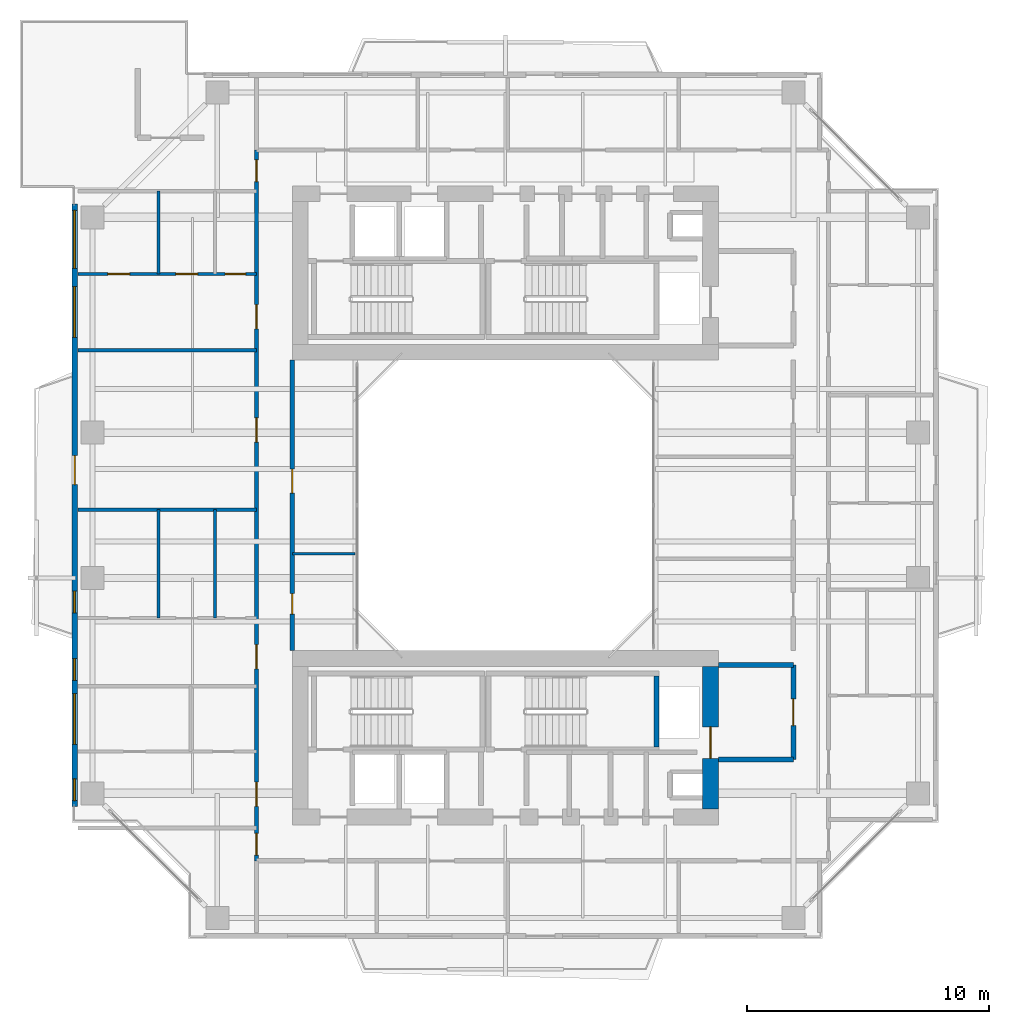
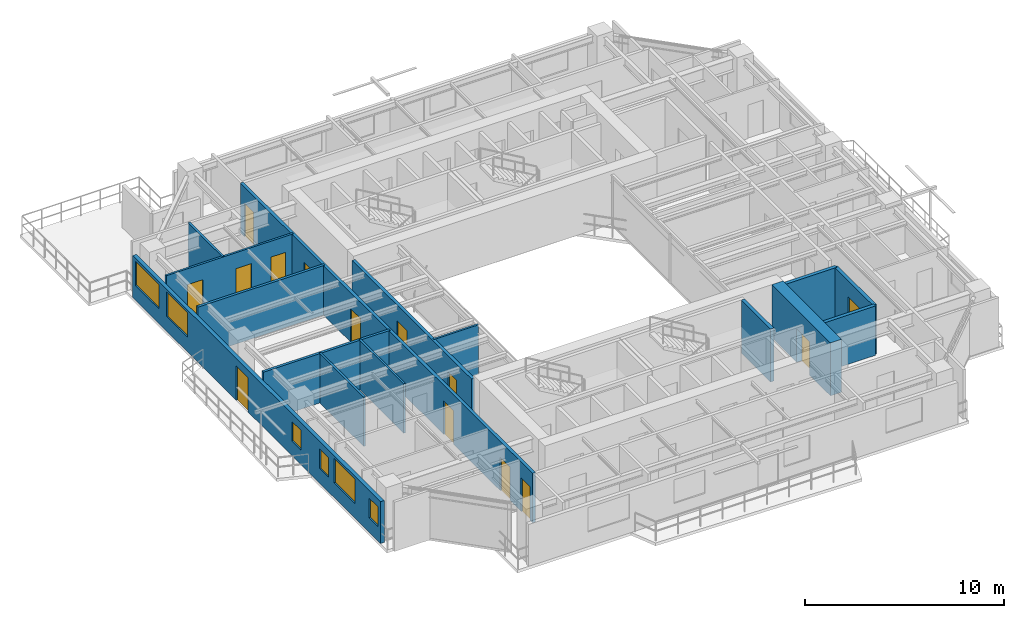
# One storey, part 11 of 18: 15 walls, 14 doors, 6 windows, 20 openings.
"""IFC4 building model written with IfcOpenShell, lengths in metres."""

from ifc_helpers import new_model, si_unit, direction, frame, frame_2d, origin, place, context, subcontext, project, spatial, rectangle, extrude, source, transform, mapped, material, layer, layer_set, type_object, element, fill, save


model = new_model("IFC4")

# Units and contexts
model_context = context("Model", 3, precision=1e-05, world=origin(), true_north=direction((0.0, 1.0)))
body_context = subcontext(model_context, "Body", "Model", "MODEL_VIEW")
ifc_project = project(units=[si_unit("LENGTHUNIT", "METRE"), si_unit("AREAUNIT", "SQUARE_METRE"), si_unit("VOLUMEUNIT", "CUBIC_METRE"), si_unit("PLANEANGLEUNIT", "RADIAN"), si_unit("MASSUNIT", "GRAM", prefix="KILO"), si_unit("THERMODYNAMICTEMPERATUREUNIT", "KELVIN"), si_unit("POWERUNIT", "WATT")], contexts=[model_context])

# Site, building, storey
site_placement = place(None, origin())
site = spatial("IfcSite", under=ifc_project, at=site_placement, CompositionType="ELEMENT")
building_placement = place(site_placement, origin())
building = spatial("IfcBuilding", under=site, at=building_placement, Name="Qiaomeng Ring Towers", CompositionType="ELEMENT")
storey_placement = place(building_placement, frame((0.0, 0.0, 182.75)))
storey = spatial("IfcBuildingStorey", under=building, at=storey_placement, Name="L53", CompositionType="ELEMENT", Elevation=182.75)

# Wall, openings, windows, door
ifc_material_1 = material(Name="Precast concrete C40", Category="concrete")
ifc_layer_1 = layer(ifc_material_1, 0.219970703125, Name="Precast concrete C40")
ifc_layer_set_1 = layer_set([ifc_layer_1], Name="Precast concrete C40")
wall_type_1 = type_object("IfcWallType", Name="ARC-WL-EW2", PredefinedType="STANDARD", material=ifc_layer_set_1)
wall_1_placement = place(storey_placement, frame((1.2099609375, 10.550048828125, 0.0), z_axis=(0.0, 0.0, 1.0), x_axis=(0.0, 1.0, 0.0)))
wall_1 = element("IfcWall", 1, at=wall_1_placement, inside=storey, type_object=wall_type_1, Name="L53 Tower 1 W Exterior Wall", PredefinedType="STANDARD", context=body_context, shape_type="SweptSolid", body=[
    extrude(rectangle(XDim=24.89990234375, YDim=0.219970703125, at=frame_2d((12.449951171875, 0.0))), origin(), (0.0, 0.0, 1.0), 2.570068359375),
])
opening_1_placement = place(wall_1_placement, frame((13.300048828125, 0.0, 0.0)))
opening_1 = element("IfcOpeningElement", 2, at=opening_1_placement, cuts=wall_1, Name="Opening BD1", PredefinedType="OPENING", context=body_context, shape_type="SweptSolid", body=[
    extrude(rectangle(XDim=1.199951171875, YDim=2.10009765625, at=frame_2d((0.60009765625, 1.050048828125))), frame((0.0, 0.119873046875, 0.0), z_axis=(0.0, -1.0, 0.0), x_axis=(1.0, 0.0, 0.0)), (0.0, 0.0, 1.0), 0.239990234375),
])
opening_2_placement = place(wall_1_placement, frame((2.572509765625, 0.0, 0.89990234375)))
opening_2 = element("IfcOpeningElement", 3, at=opening_2_placement, cuts=wall_1, Name="Opening WN4", PredefinedType="OPENING", context=body_context, shape_type="SweptSolid", body=[
    extrude(rectangle(XDim=2.10009765625, YDim=1.5, at=frame_2d((1.050048828125, 0.75))), frame((0.0, 0.119873046875, 0.0), z_axis=(0.0, -1.0, 0.0), x_axis=(1.0, 0.0, 0.0)), (0.0, 0.0, 1.0), 0.239990234375),
])
opening_3_placement = place(wall_1_placement, frame((19.387451171875, 0.0, 0.89990234375)))
opening_3 = element("IfcOpeningElement", 4, at=opening_3_placement, cuts=wall_1, Name="Opening WN4", PredefinedType="OPENING", context=body_context, shape_type="SweptSolid", body=[
    extrude(rectangle(XDim=2.10009765625, YDim=1.5, at=frame_2d((1.050048828125, 0.75))), frame((0.0, 0.119873046875, 0.0), z_axis=(0.0, -1.0, 0.0), x_axis=(1.0, 0.0, 0.0)), (0.0, 0.0, 1.0), 0.239990234375),
])
opening_4_placement = place(wall_1_placement, frame((22.239990234375, 0.0, 0.89990234375)))
opening_4 = element("IfcOpeningElement", 5, at=opening_4_placement, cuts=wall_1, Name="Opening WN6", PredefinedType="OPENING", context=body_context, shape_type="SweptSolid", body=[
    extrude(rectangle(XDim=2.39990234375, YDim=1.5, at=frame_2d((1.199951171875, 0.75))), frame((0.0, 0.119873046875, 0.0), z_axis=(0.0, -1.0, 0.0), x_axis=(1.0, 0.0, 0.0)), (0.0, 0.0, 1.0), 0.239990234375),
])
opening_5_placement = place(wall_1_placement, frame((0.25, 0.0, 0.89990234375)))
opening_5 = element("IfcOpeningElement", 6, at=opening_5_placement, cuts=wall_1, Name="Opening WN5", PredefinedType="OPENING", context=body_context, shape_type="SweptSolid", body=[
    extrude(rectangle(XDim=0.89990234375, YDim=1.199951171875, at=frame_2d((0.449951171875, 0.60009765625))), frame((0.0, 0.119873046875, 0.0), z_axis=(0.0, -1.0, 0.0), x_axis=(1.0, 0.0, 0.0)), (0.0, 0.0, 1.0), 0.239990234375),
])
opening_6_placement = place(wall_1_placement, frame((8.010009765625, 0.0, 0.89990234375)))
opening_6 = element("IfcOpeningElement", 7, at=opening_6_placement, cuts=wall_1, Name="Opening WN5", PredefinedType="OPENING", context=body_context, shape_type="SweptSolid", body=[
    extrude(rectangle(XDim=0.89990234375, YDim=1.199951171875, at=frame_2d((0.449951171875, 0.60009765625))), frame((0.0, 0.119873046875, 0.0), z_axis=(0.0, -1.0, 0.0), x_axis=(1.0, 0.0, 0.0)), (0.0, 0.0, 1.0), 0.239990234375),
])
opening_7_placement = place(wall_1_placement, frame((5.215087890625, 0.0, 0.89990234375)))
opening_7 = element("IfcOpeningElement", 8, at=opening_7_placement, cuts=wall_1, Name="Opening WN5", PredefinedType="OPENING", context=body_context, shape_type="SweptSolid", body=[
    extrude(rectangle(XDim=0.89990234375, YDim=1.199951171875, at=frame_2d((0.449951171875, 0.60009765625))), frame((0.0, 0.119873046875, 0.0), z_axis=(0.0, -1.0, 0.0), x_axis=(1.0, 0.0, 0.0)), (0.0, 0.0, 1.0), 0.239990234375),
])
ifc_material_2 = material(Name="Low-E dark-grey laminated double glazing", Category="glass")
window_type_1 = type_object("IfcWindowType", Name="ARC-WN-4", PartitioningType="TRIPLE_PANEL_VERTICAL", PredefinedType="WINDOW", material=ifc_material_2)
shared_shape_1 = source(origin(), body_context, "Body", "SweptSolid", [
    extrude(rectangle(XDim=2.10009765625, YDim=1.5, at=frame_2d((1.050048828125, 0.75))), frame((0.0, 0.030029296875, 0.0), z_axis=(0.0, -1.0, 0.0), x_axis=(1.0, 0.0, 0.0)), (0.0, 0.0, 1.0), 0.06005859375),
])
window_1_placement = place(opening_2_placement, origin())
window_1 = element("IfcWindow", 9, at=window_1_placement, inside=storey, type_object=window_type_1, Name="L53 Exterior Window WN6", OverallHeight=1.5, OverallWidth=2.10009765625, PartitioningType="TRIPLE_PANEL_VERTICAL", PredefinedType="WINDOW", context=body_context, shape_type="MappedRepresentation", body=[
    mapped(shared_shape_1, transform((0.0, 0.0, 0.0), x_axis=(1.0, 0.0, 0.0), y_axis=(0.0, 1.0, 0.0), z_axis=(0.0, 0.0, 1.0), scale=1.0)),
])
fill(opening_2, window_1)
window_2_placement = place(opening_3_placement, origin())
window_2 = element("IfcWindow", 10, at=window_2_placement, inside=storey, type_object=window_type_1, Name="L53 Exterior Window WN4", OverallHeight=1.5, OverallWidth=2.10009765625, PartitioningType="TRIPLE_PANEL_VERTICAL", PredefinedType="WINDOW", context=body_context, shape_type="MappedRepresentation", body=[
    mapped(shared_shape_1, transform((0.0, 0.0, 0.0), x_axis=(1.0, 0.0, 0.0), y_axis=(0.0, 1.0, 0.0), z_axis=(0.0, 0.0, 1.0), scale=1.0)),
])
fill(opening_3, window_2)
door_type_1 = type_object("IfcDoorType", Name="ARC-DR-BD1", OperationType="NOTDEFINED", PredefinedType="DOOR", material=ifc_material_2)
shared_shape_2 = source(origin(), body_context, "Body", "SweptSolid", [
    extrude(rectangle(XDim=1.199951171875, YDim=2.10009765625, at=frame_2d((0.60009765625, 1.050048828125))), frame((0.0, 0.02490234375, 0.0), z_axis=(0.0, -1.0, 0.0), x_axis=(1.0, 0.0, 0.0)), (0.0, 0.0, 1.0), 0.050048828125),
])
door_1_placement = place(opening_1_placement, frame((1.199951171875, 0.0, 0.0), z_axis=(0.0, 0.0, 1.0), x_axis=(-1.0, 0.0, 0.0)))
door_1 = element("IfcDoor", 11, at=door_1_placement, inside=storey, type_object=door_type_1, Name="L53 W Balcony Glazed Door", OperationType="SINGLE_SWING_LEFT", OverallHeight=2.10009765625, OverallWidth=1.199951171875, PredefinedType="DOOR", context=body_context, shape_type="MappedRepresentation", body=[
    mapped(shared_shape_2, transform((0.0, 0.0, 0.0), x_axis=(1.0, 0.0, 0.0), y_axis=(0.0, 1.0, 0.0), z_axis=(0.0, 0.0, 1.0), scale=1.0)),
])
fill(opening_1, door_1)
window_type_2 = type_object("IfcWindowType", Name="ARC-WN-6", PartitioningType="TRIPLE_PANEL_VERTICAL", PredefinedType="WINDOW", material=ifc_material_2)
shared_shape_3 = source(origin(), body_context, "Body", "SweptSolid", [
    extrude(rectangle(XDim=2.39990234375, YDim=1.5, at=frame_2d((1.199951171875, 0.75))), frame((0.0, 0.030029296875, 0.0), z_axis=(0.0, -1.0, 0.0), x_axis=(1.0, 0.0, 0.0)), (0.0, 0.0, 1.0), 0.06005859375),
])
window_3_placement = place(opening_4_placement, origin())
window_3 = element("IfcWindow", 12, at=window_3_placement, inside=storey, type_object=window_type_2, Name="L53 Exterior Window WN6", OverallHeight=1.5, OverallWidth=2.39990234375, PartitioningType="TRIPLE_PANEL_VERTICAL", PredefinedType="WINDOW", context=body_context, shape_type="MappedRepresentation", body=[
    mapped(shared_shape_3, transform((0.0, 0.0, 0.0), x_axis=(1.0, 0.0, 0.0), y_axis=(0.0, 1.0, 0.0), z_axis=(0.0, 0.0, 1.0), scale=1.0)),
])
fill(opening_4, window_3)
window_type_3 = type_object("IfcWindowType", Name="ARC-WN-5", PartitioningType="SINGLE_PANEL", PredefinedType="WINDOW", material=ifc_material_2)
shared_shape_4 = source(origin(), body_context, "Body", "SweptSolid", [
    extrude(rectangle(XDim=0.89990234375, YDim=1.199951171875, at=frame_2d((0.449951171875, 0.60009765625))), frame((0.0, 0.030029296875, 0.0), z_axis=(0.0, -1.0, 0.0), x_axis=(1.0, 0.0, 0.0)), (0.0, 0.0, 1.0), 0.06005859375),
])
window_4_placement = place(opening_5_placement, origin())
window_4 = element("IfcWindow", 13, at=window_4_placement, inside=storey, type_object=window_type_3, Name="L53 Exterior Window WN5", OverallHeight=1.199951171875, OverallWidth=0.89990234375, PartitioningType="SINGLE_PANEL", PredefinedType="WINDOW", context=body_context, shape_type="MappedRepresentation", body=[
    mapped(shared_shape_4, transform((0.0, 0.0, 0.0), x_axis=(1.0, 0.0, 0.0), y_axis=(0.0, 1.0, 0.0), z_axis=(0.0, 0.0, 1.0), scale=1.0)),
])
fill(opening_5, window_4)
window_5_placement = place(opening_6_placement, origin())
window_5 = element("IfcWindow", 14, at=window_5_placement, inside=storey, type_object=window_type_3, Name="L53 Exterior Window WN5", OverallHeight=1.199951171875, OverallWidth=0.89990234375, PartitioningType="SINGLE_PANEL", PredefinedType="WINDOW", context=body_context, shape_type="MappedRepresentation", body=[
    mapped(shared_shape_4, transform((0.0, 0.0, 0.0), x_axis=(1.0, 0.0, 0.0), y_axis=(0.0, 1.0, 0.0), z_axis=(0.0, 0.0, 1.0), scale=1.0)),
])
fill(opening_6, window_5)
window_6_placement = place(opening_7_placement, origin())
window_6 = element("IfcWindow", 15, at=window_6_placement, inside=storey, type_object=window_type_3, Name="L53 Exterior Window WN5", OverallHeight=1.199951171875, OverallWidth=0.89990234375, PartitioningType="SINGLE_PANEL", PredefinedType="WINDOW", context=body_context, shape_type="MappedRepresentation", body=[
    mapped(shared_shape_4, transform((0.0, 0.0, 0.0), x_axis=(1.0, 0.0, 0.0), y_axis=(0.0, 1.0, 0.0), z_axis=(0.0, 0.0, 1.0), scale=1.0)),
])
fill(opening_7, window_6)

# Walls
ifc_material_3 = material(Name="Autoclaved aerated concrete block", Category="concrete")
ifc_layer_2 = layer(ifc_material_3, 0.199951171875, Name="Autoclaved aerated concrete block")
ifc_layer_set_2 = layer_set([ifc_layer_2], Name="Autoclaved aerated concrete block")
wall_type_2 = type_object("IfcWallType", Name="ARC-WL-PW1", PredefinedType="PARTITIONING", material=ifc_layer_set_2)
for number, where, z_axis, x_axis, name in (
    (16, (27.800048828125, 16.39990234375, 0.0), (0.0, 0.0, 1.0), (1.0, 0.0, 0.0), "L53 Interior Wall PW1"),
    (17, (27.800048828125, 12.5, 0.0), (0.0, 0.0, 1.0), (1.0, 0.0, 0.0), "L53 Interior Wall PW1"),
):
    element("IfcWall", number, at=place(storey_placement, frame(where, z_axis=z_axis, x_axis=x_axis)), inside=storey, type_object=wall_type_2, Name=name, PredefinedType="PARTITIONING", context=body_context, shape_type="SweptSolid", body=[
        extrude(rectangle(XDim=3.099853515625, YDim=0.199951171875, at=frame_2d((1.5498046875, 0.0))), origin(), (0.0, 0.0, 1.0), 3.030029296875),
    ])

# Wall, opening, door
wall_2_placement = place(storey_placement, frame((30.89990234375, 12.5, 0.0), z_axis=(0.0, 0.0, 1.0), x_axis=(0.0, 1.0, 0.0)))
wall_2 = element("IfcWall", 18, at=wall_2_placement, inside=storey, type_object=wall_type_2, Name="L53 Interior Wall PW1", PredefinedType="PARTITIONING", context=body_context, shape_type="SweptSolid", body=[
    extrude(rectangle(XDim=3.89990234375, YDim=0.199951171875, at=frame_2d((1.949951171875, 0.0))), origin(), (0.0, 0.0, 1.0), 3.030029296875),
])
opening_8_placement = place(wall_2_placement, frame((1.39990234375, 0.0, 0.0)))
opening_8 = element("IfcOpeningElement", 19, at=opening_8_placement, cuts=wall_2, Name="Opening FD3", PredefinedType="OPENING", context=body_context, shape_type="SweptSolid", body=[
    extrude(rectangle(XDim=1.10009765625, YDim=2.050048828125, at=frame_2d((0.550048828125, 1.02490234375))), frame((0.0, 0.10986328125, 0.0), z_axis=(0.0, -1.0, 0.0), x_axis=(1.0, 0.0, 0.0)), (0.0, 0.0, 1.0), 0.219970703125),
])
ifc_material_4 = material(Name="Galvanised steel", Category="steel")
door_type_2 = type_object("IfcDoorType", Name="ARC-DR-FD3", OperationType="NOTDEFINED", PredefinedType="DOOR", material=ifc_material_4)
shared_shape_5 = source(origin(), body_context, "Body", "SweptSolid", [
    extrude(rectangle(XDim=1.10009765625, YDim=2.050048828125, at=frame_2d((0.550048828125, 1.02490234375))), frame((0.0, 0.02490234375, 0.0), z_axis=(0.0, -1.0, 0.0), x_axis=(1.0, 0.0, 0.0)), (0.0, 0.0, 1.0), 0.050048828125),
])
door_2_placement = place(opening_8_placement, origin())
door_2 = element("IfcDoor", 20, at=door_2_placement, inside=storey, type_object=door_type_2, Name="L53 South FF Lobby Door", OperationType="SINGLE_SWING_RIGHT", OverallHeight=2.050048828125, OverallWidth=1.10009765625, PredefinedType="DOOR", context=body_context, shape_type="MappedRepresentation", body=[
    mapped(shared_shape_5, transform((0.0, 0.0, 0.0), x_axis=(1.0, 0.0, 0.0), y_axis=(0.0, 1.0, 0.0), z_axis=(0.0, 0.0, 1.0), scale=1.0)),
])
fill(opening_8, door_2)

# Wall, openings, doors
ifc_layer_3 = layer(ifc_material_3, 0.179931640625, Name="Autoclaved aerated concrete block")
ifc_layer_set_3 = layer_set([ifc_layer_3], Name="Autoclaved aerated concrete block")
wall_type_3 = type_object("IfcWallType", Name="ARC-WL-PW2", PredefinedType="PARTITIONING", material=ifc_layer_set_3)
wall_3_placement = place(storey_placement, frame((8.719970703125, 8.31005859375, 0.0), z_axis=(0.0, 0.0, 1.0), x_axis=(0.0, 1.0, 0.0)))
wall_3 = element("IfcWall", 21, at=wall_3_placement, inside=storey, type_object=wall_type_3, Name="L53 Interior Wall PW2", PredefinedType="PARTITIONING", context=body_context, shape_type="SweptSolid", body=[
    extrude(rectangle(XDim=29.369873046875, YDim=0.179931640625, at=frame_2d((14.68505859375, 0.0))), origin(), (0.0, 0.0, 1.0), 3.030029296875),
])
opening_9_placement = place(wall_3_placement, frame((28.06005859375, 0.0, 0.0)))
opening_9 = element("IfcOpeningElement", 22, at=opening_9_placement, cuts=wall_3, Name="Opening ID1", PredefinedType="OPENING", context=body_context, shape_type="SweptSolid", body=[
    extrude(rectangle(XDim=0.89990234375, YDim=2.050048828125, at=frame_2d((0.449951171875, 1.02490234375))), frame((0.0, 0.099853515625, 0.0), z_axis=(0.0, -1.0, 0.0), x_axis=(1.0, 0.0, 0.0)), (0.0, 0.0, 1.0), 0.199951171875),
])
opening_10_placement = place(wall_3_placement, frame((0.239990234375, 0.0, 0.0)))
opening_10 = element("IfcOpeningElement", 23, at=opening_10_placement, cuts=wall_3, Name="Opening ID1", PredefinedType="OPENING", context=body_context, shape_type="SweptSolid", body=[
    extrude(rectangle(XDim=0.89990234375, YDim=2.050048828125, at=frame_2d((0.449951171875, 1.02490234375))), frame((0.0, 0.099853515625, 0.0), z_axis=(0.0, -1.0, 0.0), x_axis=(1.0, 0.0, 0.0)), (0.0, 0.0, 1.0), 0.199951171875),
])
opening_11_placement = place(wall_3_placement, frame((2.25, 0.0, 0.0)))
opening_11 = element("IfcOpeningElement", 24, at=opening_11_placement, cuts=wall_3, Name="Opening FD4", PredefinedType="OPENING", context=body_context, shape_type="SweptSolid", body=[
    extrude(rectangle(XDim=1.0, YDim=2.050048828125, at=frame_2d((0.5, 1.02490234375))), frame((0.0, 0.099853515625, 0.0), z_axis=(0.0, -1.0, 0.0), x_axis=(1.0, 0.0, 0.0)), (0.0, 0.0, 1.0), 0.199951171875),
])
opening_12_placement = place(wall_3_placement, frame((7.93505859375, 0.0, 0.0)))
opening_12 = element("IfcOpeningElement", 25, at=opening_12_placement, cuts=wall_3, Name="Opening FD4", PredefinedType="OPENING", context=body_context, shape_type="SweptSolid", body=[
    extrude(rectangle(XDim=1.0, YDim=2.050048828125, at=frame_2d((0.5, 1.02490234375))), frame((0.0, 0.099853515625, 0.0), z_axis=(0.0, -1.0, 0.0), x_axis=(1.0, 0.0, 0.0)), (0.0, 0.0, 1.0), 0.199951171875),
])
opening_13_placement = place(wall_3_placement, frame((17.300048828125, 0.0, 0.0)))
opening_13 = element("IfcOpeningElement", 26, at=opening_13_placement, cuts=wall_3, Name="Opening FD4", PredefinedType="OPENING", context=body_context, shape_type="SweptSolid", body=[
    extrude(rectangle(XDim=1.0, YDim=2.050048828125, at=frame_2d((0.5, 1.02490234375))), frame((0.0, 0.099853515625, 0.0), z_axis=(0.0, -1.0, 0.0), x_axis=(1.0, 0.0, 0.0)), (0.0, 0.0, 1.0), 0.199951171875),
])
opening_14_placement = place(wall_3_placement, frame((21.97998046875, 0.0, 0.0)))
opening_14 = element("IfcOpeningElement", 27, at=opening_14_placement, cuts=wall_3, Name="Opening FD4", PredefinedType="OPENING", context=body_context, shape_type="SweptSolid", body=[
    extrude(rectangle(XDim=1.0, YDim=2.050048828125, at=frame_2d((0.5, 1.02490234375))), frame((0.0, 0.099853515625, 0.0), z_axis=(0.0, -1.0, 0.0), x_axis=(1.0, 0.0, 0.0)), (0.0, 0.0, 1.0), 0.199951171875),
])
ifc_material_5 = material(Name="Engineered fire-rated oak timber", Category="wood")
door_type_3 = type_object("IfcDoorType", Name="ARC-DR-FD4", OperationType="NOTDEFINED", PredefinedType="DOOR", material=ifc_material_5)
shared_shape_6 = source(origin(), body_context, "Body", "SweptSolid", [
    extrude(rectangle(XDim=1.0, YDim=2.050048828125, at=frame_2d((0.5, 1.02490234375))), frame((0.0, 0.02490234375, 0.0), z_axis=(0.0, -1.0, 0.0), x_axis=(1.0, 0.0, 0.0)), (0.0, 0.0, 1.0), 0.050048828125),
])
door_3_placement = place(opening_11_placement, origin())
door_3 = element("IfcDoor", 28, at=door_3_placement, inside=storey, type_object=door_type_3, Name="L53 Door FD4", OperationType="SINGLE_SWING_LEFT", OverallHeight=2.050048828125, OverallWidth=1.0, PredefinedType="DOOR", context=body_context, shape_type="MappedRepresentation", body=[
    mapped(shared_shape_6, transform((0.0, 0.0, 0.0), x_axis=(1.0, 0.0, 0.0), y_axis=(0.0, 1.0, 0.0), z_axis=(0.0, 0.0, 1.0), scale=1.0)),
])
fill(opening_11, door_3)
door_4_placement = place(opening_12_placement, origin())
door_4 = element("IfcDoor", 29, at=door_4_placement, inside=storey, type_object=door_type_3, Name="L53 Door FD4", OperationType="SINGLE_SWING_LEFT", OverallHeight=2.050048828125, OverallWidth=1.0, PredefinedType="DOOR", context=body_context, shape_type="MappedRepresentation", body=[
    mapped(shared_shape_6, transform((0.0, 0.0, 0.0), x_axis=(1.0, 0.0, 0.0), y_axis=(0.0, 1.0, 0.0), z_axis=(0.0, 0.0, 1.0), scale=1.0)),
])
fill(opening_12, door_4)
door_5_placement = place(opening_13_placement, origin())
door_5 = element("IfcDoor", 30, at=door_5_placement, inside=storey, type_object=door_type_3, Name="L53 Door FD4", OperationType="SINGLE_SWING_RIGHT", OverallHeight=2.050048828125, OverallWidth=1.0, PredefinedType="DOOR", context=body_context, shape_type="MappedRepresentation", body=[
    mapped(shared_shape_6, transform((0.0, 0.0, 0.0), x_axis=(1.0, 0.0, 0.0), y_axis=(0.0, 1.0, 0.0), z_axis=(0.0, 0.0, 1.0), scale=1.0)),
])
fill(opening_13, door_5)
door_6_placement = place(opening_14_placement, origin())
door_6 = element("IfcDoor", 31, at=door_6_placement, inside=storey, type_object=door_type_3, Name="L53 Door FD4", OperationType="SINGLE_SWING_RIGHT", OverallHeight=2.050048828125, OverallWidth=1.0, PredefinedType="DOOR", context=body_context, shape_type="MappedRepresentation", body=[
    mapped(shared_shape_6, transform((0.0, 0.0, 0.0), x_axis=(1.0, 0.0, 0.0), y_axis=(0.0, 1.0, 0.0), z_axis=(0.0, 0.0, 1.0), scale=1.0)),
])
fill(opening_14, door_6)
ifc_material_6 = material(Name="Engineered oak timber", Category="wood")
door_type_4 = type_object("IfcDoorType", Name="ARC-DR-ID1", OperationType="NOTDEFINED", PredefinedType="DOOR", material=ifc_material_6)
shared_shape_7 = source(origin(), body_context, "Body", "SweptSolid", [
    extrude(rectangle(XDim=0.89990234375, YDim=2.050048828125, at=frame_2d((0.449951171875, 1.02490234375))), frame((0.0, 0.02490234375, 0.0), z_axis=(0.0, -1.0, 0.0), x_axis=(1.0, 0.0, 0.0)), (0.0, 0.0, 1.0), 0.050048828125),
])
door_7_placement = place(opening_9_placement, origin())
door_7 = element("IfcDoor", 32, at=door_7_placement, inside=storey, type_object=door_type_4, Name="L53 Door ID1", OperationType="SINGLE_SWING_LEFT", OverallHeight=2.050048828125, OverallWidth=0.89990234375, PredefinedType="DOOR", context=body_context, shape_type="MappedRepresentation", body=[
    mapped(shared_shape_7, transform((0.0, 0.0, 0.0), x_axis=(1.0, 0.0, 0.0), y_axis=(0.0, 1.0, 0.0), z_axis=(0.0, 0.0, 1.0), scale=1.0)),
])
fill(opening_9, door_7)
door_8_placement = place(opening_10_placement, origin())
door_8 = element("IfcDoor", 33, at=door_8_placement, inside=storey, type_object=door_type_4, Name="L53 Door ID1", OperationType="SINGLE_SWING_RIGHT", OverallHeight=2.050048828125, OverallWidth=0.89990234375, PredefinedType="DOOR", context=body_context, shape_type="MappedRepresentation", body=[
    mapped(shared_shape_7, transform((0.0, 0.0, 0.0), x_axis=(1.0, 0.0, 0.0), y_axis=(0.0, 1.0, 0.0), z_axis=(0.0, 0.0, 1.0), scale=1.0)),
])
fill(opening_10, door_8)

wall_4_placement = place(storey_placement, frame((10.199951171875, 17.0, 0.0), z_axis=(0.0, 0.0, 1.0), x_axis=(0.0, 1.0, 0.0)))
wall_4 = element("IfcWall", 34, at=wall_4_placement, inside=storey, type_object=wall_type_3, Name="L53 Interior Wall PW2", PredefinedType="PARTITIONING", context=body_context, shape_type="SweptSolid", body=[
    extrude(rectangle(XDim=12.0, YDim=0.179931640625, at=frame_2d((6.0, 0.0))), origin(), (0.0, 0.0, 1.0), 3.030029296875),
])
opening_15_placement = place(wall_4_placement, frame((1.5, 0.0, 0.0)))
opening_15 = element("IfcOpeningElement", 35, at=opening_15_placement, cuts=wall_4, Name="Opening ID2", PredefinedType="OPENING", context=body_context, shape_type="SweptSolid", body=[
    extrude(rectangle(XDim=0.85009765625, YDim=2.050048828125, at=frame_2d((0.425048828125, 1.02490234375))), frame((0.0, 0.099853515625, 0.0), z_axis=(0.0, -1.0, 0.0), x_axis=(1.0, 0.0, 0.0)), (0.0, 0.0, 1.0), 0.199951171875),
])
opening_16_placement = place(wall_4_placement, frame((6.5, 0.0, 0.0)))
opening_16 = element("IfcOpeningElement", 36, at=opening_16_placement, cuts=wall_4, Name="Opening FD4", PredefinedType="OPENING", context=body_context, shape_type="SweptSolid", body=[
    extrude(rectangle(XDim=1.0, YDim=2.050048828125, at=frame_2d((0.5, 1.02490234375))), frame((0.0, 0.099853515625, 0.0), z_axis=(0.0, -1.0, 0.0), x_axis=(1.0, 0.0, 0.0)), (0.0, 0.0, 1.0), 0.199951171875),
])
door_9_placement = place(opening_16_placement, origin())
door_9 = element("IfcDoor", 37, at=door_9_placement, inside=storey, type_object=door_type_3, Name="L53 Door FD4", OperationType="SINGLE_SWING_RIGHT", OverallHeight=2.050048828125, OverallWidth=1.0, PredefinedType="DOOR", context=body_context, shape_type="MappedRepresentation", body=[
    mapped(shared_shape_6, transform((0.0, 0.0, 0.0), x_axis=(1.0, 0.0, 0.0), y_axis=(0.0, 1.0, 0.0), z_axis=(0.0, 0.0, 1.0), scale=1.0)),
])
fill(opening_16, door_9)
ifc_material_7 = material(Name="Moisture-resistant engineered timber", Category="wood")
door_type_5 = type_object("IfcDoorType", Name="ARC-DR-ID2", OperationType="NOTDEFINED", PredefinedType="DOOR", material=ifc_material_7)
shared_shape_8 = source(origin(), body_context, "Body", "SweptSolid", [
    extrude(rectangle(XDim=0.85009765625, YDim=2.050048828125, at=frame_2d((0.425048828125, 1.02490234375))), frame((0.0, 0.02490234375, 0.0), z_axis=(0.0, -1.0, 0.0), x_axis=(1.0, 0.0, 0.0)), (0.0, 0.0, 1.0), 0.050048828125),
])
door_10_placement = place(opening_15_placement, origin())
door_10 = element("IfcDoor", 38, at=door_10_placement, inside=storey, type_object=door_type_5, Name="L53 Door ID2", OperationType="SINGLE_SWING_LEFT", OverallHeight=2.050048828125, OverallWidth=0.85009765625, PredefinedType="DOOR", context=body_context, shape_type="MappedRepresentation", body=[
    mapped(shared_shape_8, transform((0.0, 0.0, 0.0), x_axis=(1.0, 0.0, 0.0), y_axis=(0.0, 1.0, 0.0), z_axis=(0.0, 0.0, 1.0), scale=1.0)),
])
fill(opening_15, door_10)

# Walls
ifc_material_8 = material(Name="Gypsum fireboard steel-stud partition", Category="steel")
ifc_layer_4 = layer(ifc_material_8, 0.14990234375, Name="Gypsum fireboard steel-stud partition")
ifc_layer_set_4 = layer_set([ifc_layer_4], Name="Gypsum fireboard steel-stud partition")
wall_type_4 = type_object("IfcWallType", Name="ARC-WL-PW3", PredefinedType="PARTITIONING", material=ifc_layer_set_4)
for number, where, z_axis, x_axis, name in (
    (39, (1.35009765625, 22.820068359375, 0.0), (0.0, 0.0, 1.0), (1.0, 0.0, 0.0), "L53 Interior Wall PW3"),
    (40, (1.35009765625, 29.39990234375, 0.0), (0.0, 0.0, 1.0), (1.0, 0.0, 0.0), "L53 Interior Wall PW3"),
):
    element("IfcWall", number, at=place(storey_placement, frame(where, z_axis=z_axis, x_axis=x_axis)), inside=storey, type_object=wall_type_4, Name=name, PredefinedType="PARTITIONING", context=body_context, shape_type="SweptSolid", body=[
        extrude(rectangle(XDim=7.369873046875, YDim=0.14990234375, at=frame_2d((3.68505859375, 0.0))), origin(), (0.0, 0.0, 1.0), 3.030029296875),
    ])
ifc_material_9 = material(Name="Moisture-resistant gypsum steel-stud partition", Category="steel")
ifc_layer_5 = layer(ifc_material_9, 0.1201171875, Name="Moisture-resistant gypsum steel-stud partition")
ifc_layer_set_5 = layer_set([ifc_layer_5], Name="Moisture-resistant gypsum steel-stud partition")
wall_type_5 = type_object("IfcWallType", Name="ARC-WL-PW4", PredefinedType="PLUMBINGWALL", material=ifc_layer_set_5)
for number, where, z_axis, x_axis, name in (
    (41, (4.679931640625, 18.340087890625, 0.0), (0.0, 0.0, 1.0), (0.0, 1.0, 0.0), "L53 Interior Wall PW4"),
    (42, (7.0, 18.340087890625, 0.0), (0.0, 0.0, 1.0), (0.0, 1.0, 0.0), "L53 Interior Wall PW4"),
):
    element("IfcWall", number, at=place(storey_placement, frame(where, z_axis=z_axis, x_axis=x_axis)), inside=storey, type_object=wall_type_5, Name=name, PredefinedType="PLUMBINGWALL", context=body_context, shape_type="SweptSolid", body=[
        extrude(rectangle(XDim=4.47998046875, YDim=0.1201171875, at=frame_2d((2.239990234375, 0.0))), origin(), (0.0, 0.0, 1.0), 3.030029296875),
    ])

# Wall, openings, doors
wall_5_placement = place(storey_placement, frame((1.35009765625, 32.56005859375, 0.0), z_axis=(0.0, 0.0, 1.0), x_axis=(1.0, 0.0, 0.0)))
wall_5 = element("IfcWall", 43, at=wall_5_placement, inside=storey, type_object=wall_type_5, Name="L53 Interior Wall PW4", PredefinedType="PLUMBINGWALL", context=body_context, shape_type="SweptSolid", body=[
    extrude(rectangle(XDim=7.369873046875, YDim=0.1201171875, at=frame_2d((3.68505859375, 0.0))), origin(), (0.0, 0.0, 1.0), 3.030029296875),
])
opening_17_placement = place(wall_5_placement, frame((1.22509765625, 0.0, 0.0)))
opening_17 = element("IfcOpeningElement", 44, at=opening_17_placement, cuts=wall_5, Name="Opening ID1", PredefinedType="OPENING", context=body_context, shape_type="SweptSolid", body=[
    extrude(rectangle(XDim=0.89990234375, YDim=2.050048828125, at=frame_2d((0.449951171875, 1.02490234375))), frame((0.0, 0.070068359375, 0.0), z_axis=(0.0, -1.0, 0.0), x_axis=(1.0, 0.0, 0.0)), (0.0, 0.0, 1.0), 0.14013671875),
])
opening_18_placement = place(wall_5_placement, frame((4.0400390625, 0.0, 0.0)))
opening_18 = element("IfcOpeningElement", 45, at=opening_18_placement, cuts=wall_5, Name="Opening ID1", PredefinedType="OPENING", context=body_context, shape_type="SweptSolid", body=[
    extrude(rectangle(XDim=0.89990234375, YDim=2.050048828125, at=frame_2d((0.449951171875, 1.02490234375))), frame((0.0, 0.070068359375, 0.0), z_axis=(0.0, -1.0, 0.0), x_axis=(1.0, 0.0, 0.0)), (0.0, 0.0, 1.0), 0.14013671875),
])
opening_19_placement = place(wall_5_placement, frame((6.074951171875, 0.0, 0.0)))
opening_19 = element("IfcOpeningElement", 46, at=opening_19_placement, cuts=wall_5, Name="Opening ID2", PredefinedType="OPENING", context=body_context, shape_type="SweptSolid", body=[
    extrude(rectangle(XDim=0.85009765625, YDim=2.050048828125, at=frame_2d((0.425048828125, 1.02490234375))), frame((0.0, 0.070068359375, 0.0), z_axis=(0.0, -1.0, 0.0), x_axis=(1.0, 0.0, 0.0)), (0.0, 0.0, 1.0), 0.14013671875),
])
door_11_placement = place(opening_19_placement, origin())
door_11 = element("IfcDoor", 47, at=door_11_placement, inside=storey, type_object=door_type_5, Name="L53 Door ID2", OperationType="SINGLE_SWING_LEFT", OverallHeight=2.050048828125, OverallWidth=0.85009765625, PredefinedType="DOOR", context=body_context, shape_type="MappedRepresentation", body=[
    mapped(shared_shape_8, transform((0.0, 0.0, 0.0), x_axis=(1.0, 0.0, 0.0), y_axis=(0.0, 1.0, 0.0), z_axis=(0.0, 0.0, 1.0), scale=1.0)),
])
fill(opening_19, door_11)
door_12_placement = place(opening_17_placement, origin())
door_12 = element("IfcDoor", 48, at=door_12_placement, inside=storey, type_object=door_type_4, Name="L53 Door ID1", OperationType="SINGLE_SWING_LEFT", OverallHeight=2.050048828125, OverallWidth=0.89990234375, PredefinedType="DOOR", context=body_context, shape_type="MappedRepresentation", body=[
    mapped(shared_shape_7, transform((0.0, 0.0, 0.0), x_axis=(1.0, 0.0, 0.0), y_axis=(0.0, 1.0, 0.0), z_axis=(0.0, 0.0, 1.0), scale=1.0)),
])
fill(opening_17, door_12)
door_13_placement = place(opening_18_placement, origin())
door_13 = element("IfcDoor", 49, at=door_13_placement, inside=storey, type_object=door_type_4, Name="L53 Door ID1", OperationType="SINGLE_SWING_RIGHT", OverallHeight=2.050048828125, OverallWidth=0.89990234375, PredefinedType="DOOR", context=body_context, shape_type="MappedRepresentation", body=[
    mapped(shared_shape_7, transform((0.0, 0.0, 0.0), x_axis=(1.0, 0.0, 0.0), y_axis=(0.0, 1.0, 0.0), z_axis=(0.0, 0.0, 1.0), scale=1.0)),
])
fill(opening_18, door_13)

# Walls
wall_6_placement = place(storey_placement, frame((4.679931640625, 32.56005859375, 0.0), z_axis=(0.0, 0.0, 1.0), x_axis=(0.0, 1.0, 0.0)))
element("IfcWall", 50, at=wall_6_placement, inside=storey, type_object=wall_type_5, Name="L53 Interior Wall PW4", PredefinedType="PLUMBINGWALL", context=body_context, shape_type="SweptSolid", body=[
    extrude(rectangle(XDim=3.419921875, YDim=0.1201171875, at=frame_2d((1.7099609375, 0.0))), origin(), (0.0, 0.0, 1.0), 3.030029296875),
])
wall_7_placement = place(storey_placement, frame((10.199951171875, 21.0, 0.0), z_axis=(0.0, 0.0, 1.0), x_axis=(1.0, 0.0, 0.0)))
element("IfcWall", 51, at=wall_7_placement, inside=storey, type_object=wall_type_5, Name="L53 Interior Wall PW4", PredefinedType="PLUMBINGWALL", context=body_context, shape_type="SweptSolid", body=[
    extrude(rectangle(XDim=2.580078125, YDim=0.1201171875, at=frame_2d((1.2900390625, 0.0))), origin(), (0.0, 0.0, 1.0), 3.030029296875),
])
ifc_material_10 = material(Name="Concrete C40", Category="concrete")
ifc_layer_6 = layer(ifc_material_10, 0.199951171875, Name="Concrete C40")
ifc_layer_set_6 = layer_set([ifc_layer_6], Name="Concrete C40")
wall_type_6 = type_object("IfcWallType", Name="STR-WL-STSHAFT", PredefinedType="SHEAR", material=ifc_layer_set_6)
wall_8_placement = place(storey_placement, frame((25.25, 13.010009765625, 0.0), z_axis=(0.0, 0.0, 1.0), x_axis=(0.0, 1.0, 0.0)))
element("IfcWall", 52, at=wall_8_placement, inside=storey, type_object=wall_type_6, Name="L53 Stair ST4 East Shaft Shear Wall", PredefinedType="SHEAR", context=body_context, shape_type="SweptSolid", body=[
    extrude(rectangle(XDim=2.93994140625, YDim=0.199951171875, at=frame_2d((1.469970703125, 0.0))), origin(), (0.0, 0.0, 1.0), 3.25),
])

# Wall, opening, door
ifc_material_11 = material(Name="Concrete C50", Category="concrete")
ifc_layer_7 = layer(ifc_material_11, 0.64990234375, Name="Concrete C50")
ifc_layer_set_7 = layer_set([ifc_layer_7], Name="Concrete C50")
wall_type_7 = type_object("IfcWallType", Name="STR-WL-SW2B", PredefinedType="SHEAR", material=ifc_layer_set_7)
wall_9_placement = place(storey_placement, frame((27.47509765625, 10.449951171875, 0.0), z_axis=(0.0, 0.0, 1.0), x_axis=(0.0, 1.0, 0.0)))
wall_9 = element("IfcWall", 53, at=wall_9_placement, inside=storey, type_object=wall_type_7, Name="L53 T1SC east core shear wall", PredefinedType="SHEAR", context=body_context, shape_type="SweptSolid", body=[
    extrude(rectangle(XDim=5.900146484375, YDim=0.64990234375, at=frame_2d((2.9501953125, 0.0))), origin(), (0.0, 0.0, 1.0), 3.25),
])
opening_20_placement = place(wall_9_placement, frame((2.10009765625, 0.0, 0.0)))
opening_20 = element("IfcOpeningElement", 54, at=opening_20_placement, cuts=wall_9, Name="Opening LD2", PredefinedType="OPENING", context=body_context, shape_type="SweptSolid", body=[
    extrude(rectangle(XDim=1.300048828125, YDim=2.050048828125, at=frame_2d((0.64990234375, 1.02490234375))), frame((0.0, 0.3349609375, 0.0), z_axis=(0.0, -1.0, 0.0), x_axis=(1.0, 0.0, 0.0)), (0.0, 0.0, 1.0), 0.669921875),
])
ifc_material_12 = material(Name="Stainless steel 316", Category="steel")
door_type_6 = type_object("IfcDoorType", Name="ARC-DR-LD2", OperationType="NOTDEFINED", PredefinedType="DOOR", material=ifc_material_12)
shared_shape_9 = source(origin(), body_context, "Body", "SweptSolid", [
    extrude(rectangle(XDim=1.300048828125, YDim=2.050048828125, at=frame_2d((0.64990234375, 1.02490234375))), frame((0.0, 0.02490234375, 0.0), z_axis=(0.0, -1.0, 0.0), x_axis=(1.0, 0.0, 0.0)), (0.0, 0.0, 1.0), 0.050048828125),
])
door_14_placement = place(opening_20_placement, origin())
door_14 = element("IfcDoor", 55, at=door_14_placement, inside=storey, type_object=door_type_6, Name="L53 Firefighting Lift FL2 Landing Door", OperationType="SLIDING_TO_RIGHT", OverallHeight=2.050048828125, OverallWidth=1.300048828125, PredefinedType="DOOR", context=body_context, shape_type="MappedRepresentation", body=[
    mapped(shared_shape_9, transform((0.0, 0.0, 0.0), x_axis=(1.0, 0.0, 0.0), y_axis=(0.0, 1.0, 0.0), z_axis=(0.0, 0.0, 1.0), scale=1.0)),
])
fill(opening_20, door_14)

save(model, "model.ifc")
